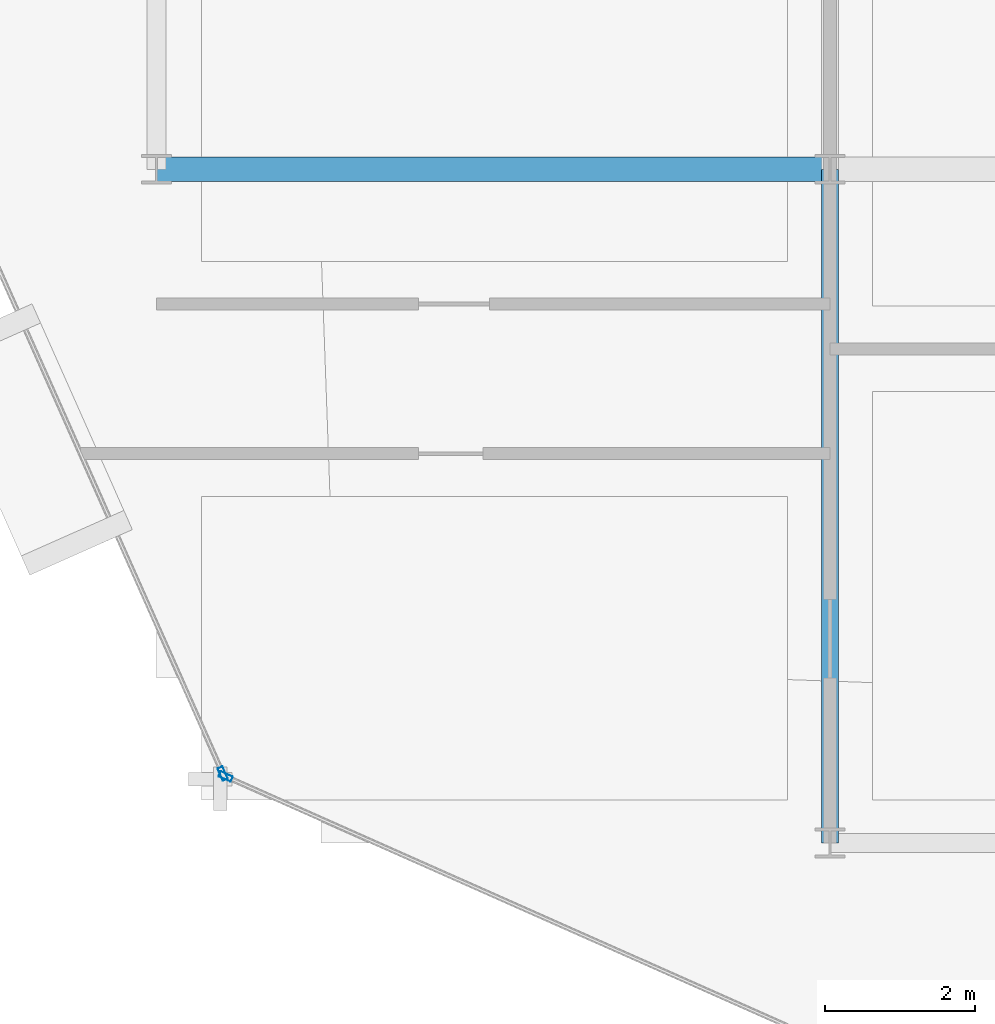
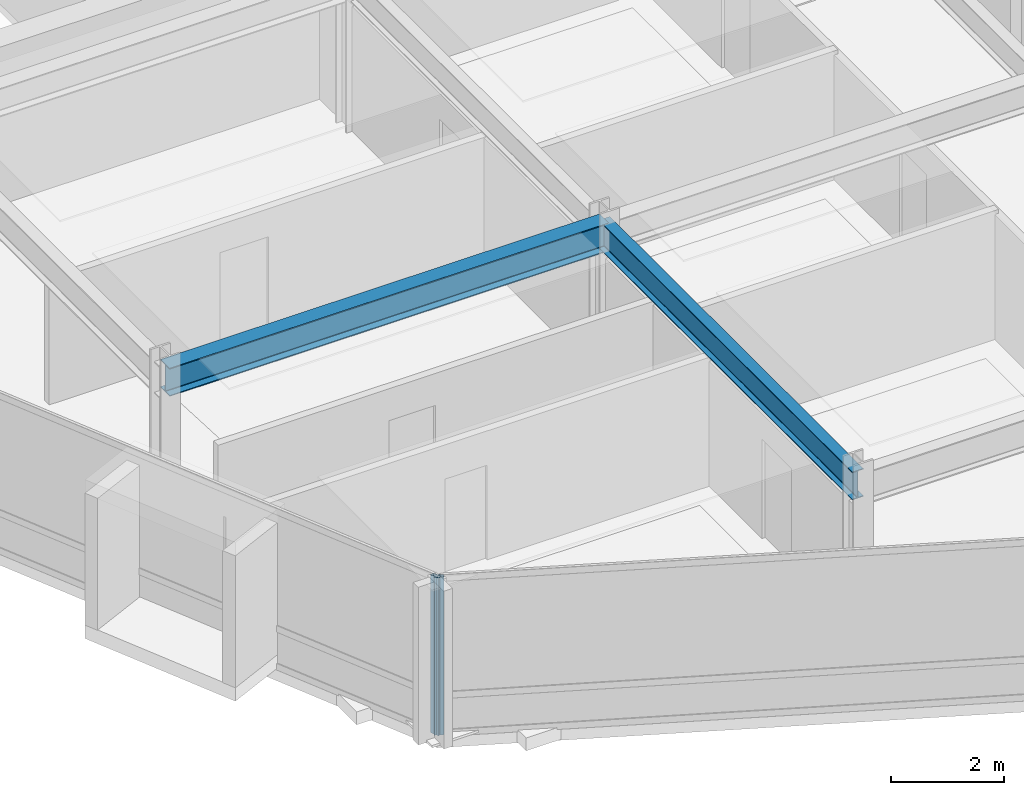
# One storey, part 2 of 28: 2 beams, 2 members, 2 elements without a shape of their own.
"""IFC4 building model written with IfcOpenShell, lengths in metres."""

from ifc_helpers import new_model, si_unit, direction, frame, origin, origin_2d, place, context, subcontext, project, spatial, hollow_rectangle, i_section, extrude, material, layer, layer_set, material_profile, profile_set, type_object, element, aggregate, save


model = new_model("IFC4")

# Units and contexts
model_context = context("Model", 3, precision=1e-05, world=origin(), true_north=direction((0.0, 1.0)))
body_context = subcontext(model_context, "Body", "Model", "MODEL_VIEW")
ifc_project = project(units=[si_unit("LENGTHUNIT", "METRE"), si_unit("AREAUNIT", "SQUARE_METRE"), si_unit("VOLUMEUNIT", "CUBIC_METRE"), si_unit("PLANEANGLEUNIT", "RADIAN"), si_unit("MASSUNIT", "GRAM", prefix="KILO")], contexts=[model_context])

# Site, building, storey
site_placement = place(None, origin())
site = spatial("IfcSite", under=ifc_project, at=site_placement, CompositionType="ELEMENT")
building_placement = place(site_placement, origin())
building = spatial("IfcBuilding", under=site, at=building_placement, Name="Solvaryn Broadcast Tower", CompositionType="ELEMENT")
storey_placement = place(building_placement, frame((0.0, 0.0, 217.300048828125)))
storey = spatial("IfcBuildingStorey", under=building, at=storey_placement, Name="L54", CompositionType="ELEMENT", Elevation=217.300048828125)

# Beams
ifc_material_1 = material(Name="Steel ASTM A992 Grade 50", Category="steel")
ifc_material_profile_1 = material_profile(ifc_material_1, i_section(OverallWidth=0.323974609375, OverallDepth=0.611083984375, WebThickness=0.0126953125, FlangeThickness=0.01904296875, FilletRadius=0.014892578125, at=origin_2d()))
ifc_profile_set_1 = profile_set([ifc_material_profile_1], Name="Steel ASTM A992 Grade 50")
beam_type_1 = type_object("IfcBeamType", Name="BM-B1-W24X104", PredefinedType="BEAM", material=ifc_profile_set_1)
beam_1_placement = place(storey_placement, frame((9.0, 18.0, 3.114501953125), z_axis=(1.0, 0.0, 0.0), x_axis=(0.0, 1.0, 0.0)))
element("IfcBeam", 1, at=beam_1_placement, inside=storey, type_object=beam_type_1, Name="L54 Primary Beam X (9-18 @ Y=18)", PredefinedType="BEAM", context=body_context, shape_type="SweptSolid", body=[
    extrude(i_section(OverallWidth=0.323974609375, OverallDepth=0.611083984375, WebThickness=0.0126953125, FlangeThickness=0.01904296875, FilletRadius=0.014892578125, at=origin_2d()), origin(), (0.0, 0.0, 1.0), 9.0),
])
ifc_material_2 = material(Name="Steel ASTM A992 Grade 50", Category="steel")
ifc_material_profile_2 = material_profile(ifc_material_2, i_section(OverallWidth=0.22802734375, OverallDepth=0.60791015625, WebThickness=0.01123046875, FlangeThickness=0.017333984375, FilletRadius=0.014892578125, at=origin_2d()))
ifc_profile_set_2 = profile_set([ifc_material_profile_2], Name="Steel ASTM A992 Grade 50")
beam_type_2 = type_object("IfcBeamType", Name="BM-B2-W24X76", PredefinedType="BEAM", material=ifc_profile_set_2)
beam_2_placement = place(storey_placement, frame((18.0, 9.0, 3.115966796875), z_axis=(0.0, 1.0, 0.0), x_axis=(-1.0, 0.0, 0.0)))
element("IfcBeam", 2, at=beam_2_placement, inside=storey, type_object=beam_type_2, Name="L54 Primary Beam Y (9-18 @ X=18)", PredefinedType="BEAM", context=body_context, shape_type="SweptSolid", body=[
    extrude(i_section(OverallWidth=0.22802734375, OverallDepth=0.60791015625, WebThickness=0.01123046875, FlangeThickness=0.017333984375, FilletRadius=0.014892578125, at=origin_2d()), origin(), (0.0, 0.0, 1.0), 9.0),
])

# Curtain wall, member
ifc_material_3 = material(Name="Aluminium and Terracotta Unitised Curtain Wall", Category="masonry")
ifc_layer = layer(ifc_material_3, 0.199951171875)
ifc_layer_set = layer_set([ifc_layer], Name="CW-SYS2-LOWMID")
curtain_wall_type = type_object("IfcCurtainWallType", Name="CW-SYS2-LOWMID", PredefinedType="NOTDEFINED", material=ifc_layer_set)
curtain_wall_1_placement = place(storey_placement, origin())
curtain_wall_1 = element("IfcCurtainWall", 3, at=curtain_wall_1_placement, inside=storey, type_object=curtain_wall_type, Name="L54 Curtain Wall DR2", PredefinedType="NOTDEFINED")
ifc_material_4 = material(Name="Anodised Aluminium 6063-T6", Category="aluminium")
ifc_material_profile_3 = material_profile(ifc_material_4, hollow_rectangle(XDim=0.074951171875, YDim=0.179931640625, WallThickness=0.00390625, InnerFilletRadius=0.00390625, OuterFilletRadius=0.008056640625, at=origin_2d()))
ifc_profile_set_3 = profile_set([ifc_material_profile_3], Name="Anodised Aluminium 6063-T6")
member_type = type_object("IfcMemberType", Name="CW-MUL-180", PredefinedType="MULLION", material=ifc_profile_set_3)
member_1_placement = place(storey_placement, frame((9.8857421875, 9.925537109375, 0.0), z_axis=(0.0, 0.0, 1.0), x_axis=(0.913916902365, 0.405901337237, 0.0)))
member_1 = element("IfcMember", 4, at=member_1_placement, type_object=member_type, Name="CWS2 mullion 2", PredefinedType="MULLION", context=body_context, shape_type="SweptSolid", body=[
    extrude(hollow_rectangle(XDim=0.074951171875, YDim=0.179931640625, WallThickness=0.00390625, InnerFilletRadius=0.00390625, OuterFilletRadius=0.008056640625, at=origin_2d()), origin(), (0.0, 0.0, 1.0), 3.419921875),
])
aggregate(curtain_wall_1, [member_1])

curtain_wall_2_placement = place(storey_placement, origin())
curtain_wall_2 = element("IfcCurtainWall", 5, at=curtain_wall_2_placement, inside=storey, type_object=curtain_wall_type, Name="L54 Curtain Wall DR3", PredefinedType="NOTDEFINED")
member_2_placement = place(storey_placement, frame((9.925537109375, 9.8857421875, 0.0), z_axis=(0.0, 0.0, 1.0), x_axis=(0.405901337237, 0.913916902365, 0.0)))
member_2 = element("IfcMember", 6, at=member_2_placement, type_object=member_type, Name="CWS2 mullion 1", PredefinedType="MULLION", context=body_context, shape_type="SweptSolid", body=[
    extrude(hollow_rectangle(XDim=0.074951171875, YDim=0.179931640625, WallThickness=0.00390625, InnerFilletRadius=0.00390625, OuterFilletRadius=0.008056640625, at=origin_2d()), origin(), (0.0, 0.0, 1.0), 3.419921875),
])
aggregate(curtain_wall_2, [member_2])

save(model, "model.ifc")
